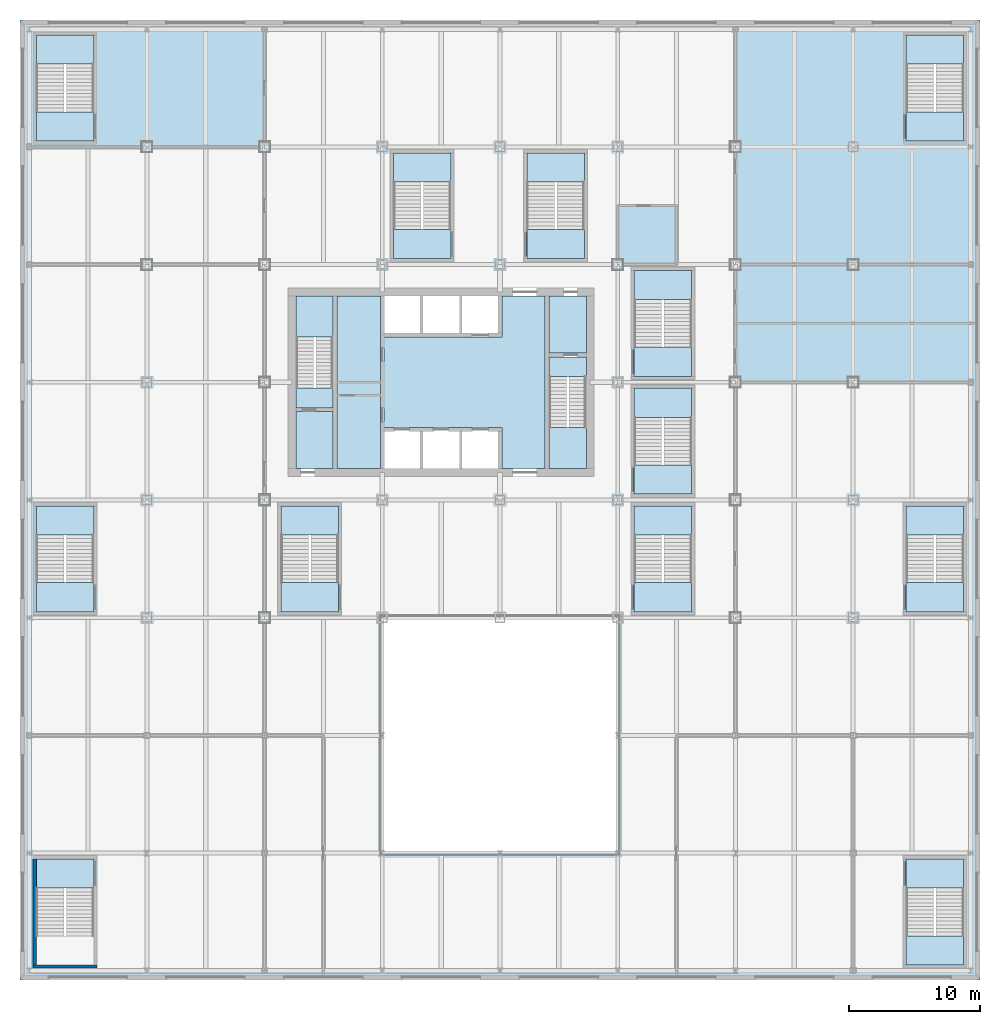
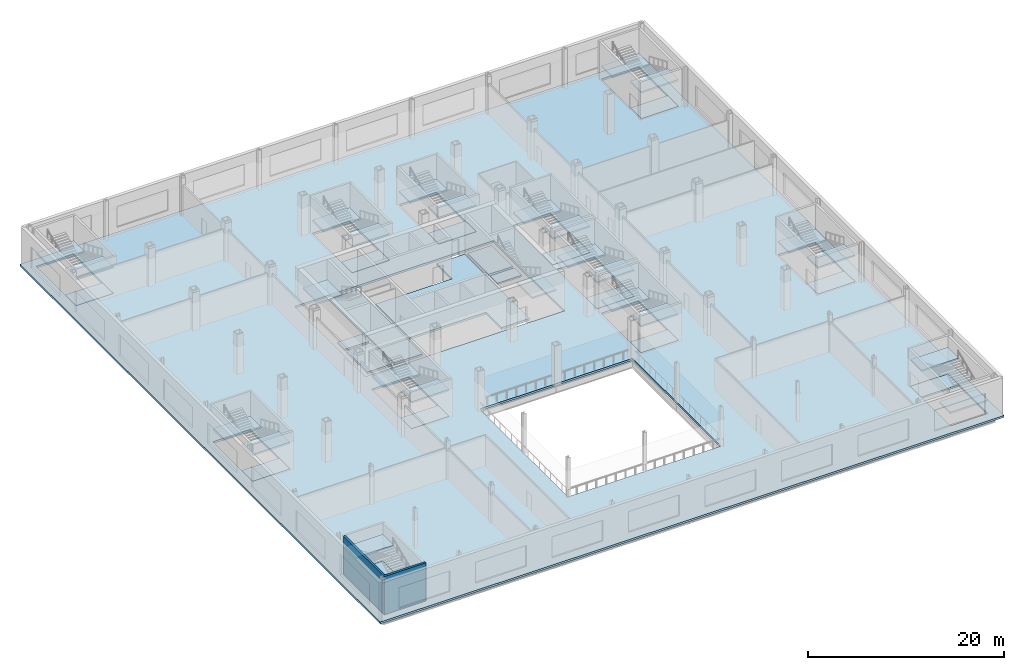
# One storey, part 10 of 31: 44 slabs, 2 walls, 14 elements without a shape of their own.
"""IFC4 building model written with IfcOpenShell, lengths in metres."""

from ifc_helpers import new_model, si_unit, direction, frame, frame_2d, origin, place, context, subcontext, project, spatial, polyline, rectangle, outline, extrude, material, layer, layer_set, type_object, element, aggregate, save


model = new_model("IFC4")

# Units and contexts
model_context = context("Model", 3, precision=1e-05, world=origin(), true_north=direction((0.0, 1.0)))
body_context = subcontext(model_context, "Body", "Model", "MODEL_VIEW")
ifc_project = project(units=[si_unit("LENGTHUNIT", "METRE"), si_unit("AREAUNIT", "SQUARE_METRE"), si_unit("VOLUMEUNIT", "CUBIC_METRE"), si_unit("PLANEANGLEUNIT", "RADIAN"), si_unit("MASSUNIT", "GRAM", prefix="KILO")], contexts=[model_context])

# Site, building, storey
site_placement = place(None, origin())
site = spatial("IfcSite", under=ifc_project, at=site_placement, CompositionType="ELEMENT")
building_placement = place(site_placement, origin())
building = spatial("IfcBuilding", under=site, at=building_placement, Name="Loomwork Tower", CompositionType="ELEMENT")
storey_placement = place(building_placement, frame((0.0, 0.0, 11.0)))
storey = spatial("IfcBuildingStorey", under=building, at=storey_placement, Name="L02", CompositionType="ELEMENT", Elevation=11.0)

# Slabs
ifc_material_1 = material(Name="Concrete 5000 psi (34 MPa) on composite metal deck", Category="concrete")
ifc_layer_1 = layer(ifc_material_1, 0.25)
ifc_layer_set_1 = layer_set([ifc_layer_1], Name="Floor slab 250")
slab_type_1 = type_object("IfcSlabType", Name="Floor slab 250", PredefinedType="FLOOR", material=ifc_layer_set_1)
slab_1_placement = place(storey_placement, frame((0.0, 0.0, -0.25)))
element("IfcSlab", 1, at=slab_1_placement, inside=storey, type_object=slab_type_1, Name="Floor slab L02", PredefinedType="FLOOR", context=body_context, shape_type="SweptSolid", body=[
    extrude(outline(polyline([(-9.699951171875, -27.699951171875), (-9.699951171875, 45.699951171875), (63.699951171875, 45.699951171875), (63.699951171875, -27.699951171875), (-9.699951171875, -27.699951171875)]), holes=[polyline([(58.050048828125, 36.449951171875), (62.449951171875, 36.449951171875), (62.449951171875, 44.550048828125), (58.050048828125, 44.550048828125), (58.050048828125, 36.449951171875)]), polyline([(58.050048828125, 0.449951171875), (62.449951171875, 0.449951171875), (62.449951171875, 8.550048828125), (58.050048828125, 8.550048828125), (58.050048828125, 0.449951171875)]), polyline([(58.050048828125, -26.550048828125), (62.449951171875, -26.550048828125), (62.449951171875, -18.449951171875), (58.050048828125, -18.449951171875), (58.050048828125, -26.550048828125)]), polyline([(41.64990234375, 9.449951171875), (41.64990234375, 17.550048828125), (37.25, 17.550048828125), (37.25, 9.449951171875), (41.64990234375, 9.449951171875)]), polyline([(37.25, 18.449951171875), (41.64990234375, 18.449951171875), (41.64990234375, 26.550048828125), (37.25, 26.550048828125), (37.25, 18.449951171875)]), polyline([(37.25, 0.449951171875), (41.64990234375, 0.449951171875), (41.64990234375, 8.550048828125), (37.25, 8.550048828125), (37.25, 0.449951171875)]), polyline([(18.0, -18.0), (36.0, -18.0), (36.0, 0.0), (18.0, 0.0), (18.0, -18.0)]), polyline([(34.199951171875, 11.39990234375), (34.199951171875, 24.60009765625), (34.199951171875, 25.199951171875), (10.800048828125, 25.199951171875), (10.800048828125, 24.60009765625), (10.800048828125, 11.39990234375), (10.800048828125, 11.39990234375), (10.800048828125, 10.800048828125), (34.199951171875, 10.800048828125), (34.199951171875, 11.39990234375), (34.199951171875, 11.39990234375)]), polyline([(29.050048828125, 27.449951171875), (33.449951171875, 27.449951171875), (33.449951171875, 35.550048828125), (29.050048828125, 35.550048828125), (29.050048828125, 27.449951171875)]), polyline([(18.85009765625, 27.449951171875), (23.25, 27.449951171875), (23.25, 35.550048828125), (18.85009765625, 35.550048828125), (18.85009765625, 27.449951171875)]), polyline([(10.25, 0.449951171875), (14.64990234375, 0.449951171875), (14.64990234375, 8.550048828125), (10.25, 8.550048828125), (10.25, 0.449951171875)]), polyline([(-4.050048828125, -26.550048828125), (-4.050048828125, -18.449951171875), (-8.449951171875, -18.449951171875), (-8.449951171875, -26.550048828125), (-4.050048828125, -26.550048828125)]), polyline([(-8.449951171875, 36.449951171875), (-4.050048828125, 36.449951171875), (-4.050048828125, 44.550048828125), (-8.449951171875, 44.550048828125), (-8.449951171875, 36.449951171875)]), polyline([(-8.449951171875, 0.449951171875), (-4.050048828125, 0.449951171875), (-4.050048828125, 8.550048828125), (-8.449951171875, 8.550048828125), (-8.449951171875, 0.449951171875)])]), origin(), (0.0, 0.0, 1.0), 0.25),
])
slab_2_placement = place(storey_placement, frame((0.0, 0.0, -0.25)))
element("IfcSlab", 2, at=slab_2_placement, inside=storey, type_object=slab_type_1, Name="Floor slab L02", PredefinedType="FLOOR", context=body_context, shape_type="SweptSolid", body=[
    extrude(outline(polyline([(18.14990234375, 21.449951171875), (27.14990234375, 21.449951171875), (27.14990234375, 21.75), (27.14990234375, 24.60009765625), (30.449951171875, 24.60009765625), (30.449951171875, 11.39990234375), (27.14990234375, 11.39990234375), (27.14990234375, 14.25), (27.14990234375, 14.550048828125), (18.14990234375, 14.550048828125), (18.14990234375, 21.449951171875)])), origin(), (0.0, 0.0, 1.0), 0.25),
])
slab_3_placement = place(storey_placement, frame((0.0, 0.0, -0.25)))
element("IfcSlab", 3, at=slab_3_placement, inside=storey, type_object=slab_type_1, Name="Floor slab L02", PredefinedType="FLOOR", context=body_context, shape_type="SweptSolid", body=[
    extrude(outline(polyline([(14.550048828125, 24.60009765625), (17.85009765625, 24.60009765625), (17.85009765625, 11.39990234375), (14.550048828125, 11.39990234375), (14.550048828125, 24.60009765625)])), origin(), (0.0, 0.0, 1.0), 0.25),
])
slab_4_placement = place(storey_placement, frame((0.0, 0.0, -0.25)))
element("IfcSlab", 4, at=slab_4_placement, inside=storey, type_object=slab_type_1, Name="Floor slab L02", PredefinedType="FLOOR", context=body_context, shape_type="SweptSolid", body=[
    extrude(outline(polyline([(33.60009765625, 20.25), (30.75, 20.25), (30.75, 24.60009765625), (33.60009765625, 24.60009765625), (33.60009765625, 20.25)])), origin(), (0.0, 0.0, 1.0), 0.25),
])
slab_5_placement = place(storey_placement, frame((0.0, 0.0, -0.25)))
element("IfcSlab", 5, at=slab_5_placement, inside=storey, type_object=slab_type_1, Name="Floor slab L02", PredefinedType="FLOOR", context=body_context, shape_type="SweptSolid", body=[
    extrude(outline(polyline([(14.25, 15.75), (14.25, 11.39990234375), (11.39990234375, 11.39990234375), (11.39990234375, 15.75), (14.25, 15.75)])), origin(), (0.0, 0.0, 1.0), 0.25),
])

# Stair, slabs
ifc_material_2 = material(Name="Concrete 5000 psi (34 MPa) precast stair", Category="concrete")
stair_type_1 = type_object("IfcStairType", Name="Stair ST-A 30 risers 2850 wide", PredefinedType="HALF_TURN_STAIR", material=ifc_material_2)
stair_1_placement = place(storey_placement, origin())
stair_1 = element("IfcStair", 6, at=stair_1_placement, inside=storey, type_object=stair_type_1, Name="Stair A L02", PredefinedType="HALF_TURN_STAIR")
ifc_material_3 = material(Name="Concrete 5000 psi (34 MPa)", Category="concrete")
ifc_layer_2 = layer(ifc_material_3, 0.199951171875)
ifc_layer_set_2 = layer_set([ifc_layer_2], Name="Stair landing 200")
slab_type_2 = type_object("IfcSlabType", Name="Stair landing 200", PredefinedType="LANDING", material=ifc_layer_set_2)
slab_6_placement = place(storey_placement, frame((0.0, 0.0, -0.199951171875)))
slab_6 = element("IfcSlab", 7, at=slab_6_placement, type_object=slab_type_2, Name="ST-A landing 1", PredefinedType="LANDING", context=body_context, shape_type="SweptSolid", body=[
    extrude(outline(polyline([(11.39990234375, 16.050048828125), (14.25, 16.050048828125), (14.25, 17.550048828125), (11.39990234375, 17.550048828125), (11.39990234375, 16.050048828125)])), origin(), (0.0, 0.0, 1.0), 0.199951171875),
])
slab_7_placement = place(storey_placement, frame((0.0, 0.0, 2.300048828125)))
slab_7 = element("IfcSlab", 8, at=slab_7_placement, type_object=slab_type_2, Name="ST-A landing 2", PredefinedType="LANDING", context=body_context, shape_type="SweptSolid", body=[
    extrude(outline(polyline([(11.39990234375, 21.469970703125), (14.25, 21.469970703125), (14.25, 24.60009765625), (11.39990234375, 24.60009765625), (11.39990234375, 21.469970703125)])), origin(), (0.0, 0.0, 1.0), 0.199951171875),
])
aggregate(stair_1, [slab_6, slab_7])

ifc_material_4 = material(Name="Concrete 5000 psi (34 MPa) precast stair", Category="concrete")
stair_type_2 = type_object("IfcStairType", Name="Stair ST-B 30 risers 2850 wide", PredefinedType="HALF_TURN_STAIR", material=ifc_material_4)
stair_2_placement = place(storey_placement, origin())
stair_2 = element("IfcStair", 9, at=stair_2_placement, inside=storey, type_object=stair_type_2, Name="Stair B L02", PredefinedType="HALF_TURN_STAIR")
slab_8_placement = place(storey_placement, frame((0.0, 0.0, -0.199951171875)))
slab_8 = element("IfcSlab", 10, at=slab_8_placement, type_object=slab_type_2, Name="ST-B landing 1", PredefinedType="LANDING", context=body_context, shape_type="SweptSolid", body=[
    extrude(outline(polyline([(30.75, 18.449951171875), (33.60009765625, 18.449951171875), (33.60009765625, 19.949951171875), (30.75, 19.949951171875), (30.75, 18.449951171875)])), origin(), (0.0, 0.0, 1.0), 0.199951171875),
])
slab_9_placement = place(storey_placement, frame((0.0, 0.0, 2.300048828125)))
slab_9 = element("IfcSlab", 11, at=slab_9_placement, type_object=slab_type_2, Name="ST-B landing 2", PredefinedType="LANDING", context=body_context, shape_type="SweptSolid", body=[
    extrude(outline(polyline([(30.75, 11.39990234375), (33.60009765625, 11.39990234375), (33.60009765625, 14.530029296875), (30.75, 14.530029296875), (30.75, 11.39990234375)])), origin(), (0.0, 0.0, 1.0), 0.199951171875),
])
aggregate(stair_2, [slab_8, slab_9])

ifc_material_5 = material(Name="Concrete 5000 psi (34 MPa) precast stair", Category="concrete")
stair_type_3 = type_object("IfcStairType", Name="Stair ST-S1P 42 risers of 119 4400 wide", PredefinedType="HALF_TURN_STAIR", material=ifc_material_5)
stair_3_placement = place(storey_placement, origin())
stair_3 = element("IfcStair", 12, at=stair_3_placement, inside=storey, type_object=stair_type_3, Name="Podium stair PS1 L02", PredefinedType="HALF_TURN_STAIR")
slab_10_placement = place(storey_placement, frame((0.0, 0.0, -0.199951171875)))
slab_10 = element("IfcSlab", 13, at=slab_10_placement, type_object=slab_type_2, Name="ST-S1P landing 1", PredefinedType="LANDING", context=body_context, shape_type="SweptSolid", body=[
    extrude(outline(polyline([(-8.449951171875, -20.679931640625), (-4.050048828125, -20.679931640625), (-4.050048828125, -18.449951171875), (-8.449951171875, -18.449951171875), (-8.449951171875, -20.679931640625)])), origin(), (0.0, 0.0, 1.0), 0.199951171875),
])
slab_11_placement = place(storey_placement, frame((0.0, 0.0, 3.13330078125)))
slab_11 = element("IfcSlab", 14, at=slab_11_placement, type_object=slab_type_2, Name="ST-S1P landing 3", PredefinedType="LANDING", context=body_context, shape_type="SweptSolid", body=[
    extrude(outline(polyline([(-8.449951171875, -20.679931640625), (-4.050048828125, -20.679931640625), (-4.050048828125, -18.449951171875), (-8.449951171875, -18.449951171875), (-8.449951171875, -20.679931640625)])), origin(), (0.0, 0.0, 1.0), 0.199951171875),
])
aggregate(stair_3, [slab_10, slab_11])

ifc_material_6 = material(Name="Concrete 5000 psi (34 MPa) precast stair", Category="concrete")
stair_type_4 = type_object("IfcStairType", Name="Stair ST-S2P 42 risers of 119 4400 wide", PredefinedType="HALF_TURN_STAIR", material=ifc_material_6)
stair_4_placement = place(storey_placement, origin())
stair_4 = element("IfcStair", 15, at=stair_4_placement, inside=storey, type_object=stair_type_4, Name="Podium stair PS2 L02", PredefinedType="HALF_TURN_STAIR")
slab_12_placement = place(storey_placement, frame((0.0, 0.0, -0.199951171875)))
slab_12 = element("IfcSlab", 16, at=slab_12_placement, type_object=slab_type_2, Name="ST-S2P landing 1", PredefinedType="LANDING", context=body_context, shape_type="SweptSolid", body=[
    extrude(outline(polyline([(58.050048828125, -20.679931640625), (62.449951171875, -20.679931640625), (62.449951171875, -18.449951171875), (58.050048828125, -18.449951171875), (58.050048828125, -20.679931640625)])), origin(), (0.0, 0.0, 1.0), 0.199951171875),
])
slab_13_placement = place(storey_placement, frame((0.0, 0.0, 1.466796875)))
slab_13 = element("IfcSlab", 17, at=slab_13_placement, type_object=slab_type_2, Name="ST-S2P landing 2", PredefinedType="LANDING", context=body_context, shape_type="SweptSolid", body=[
    extrude(outline(polyline([(58.050048828125, -26.550048828125), (62.449951171875, -26.550048828125), (62.449951171875, -24.320068359375), (58.050048828125, -24.320068359375), (58.050048828125, -26.550048828125)])), origin(), (0.0, 0.0, 1.0), 0.199951171875),
])
slab_14_placement = place(storey_placement, frame((0.0, 0.0, 3.13330078125)))
slab_14 = element("IfcSlab", 18, at=slab_14_placement, type_object=slab_type_2, Name="ST-S2P landing 3", PredefinedType="LANDING", context=body_context, shape_type="SweptSolid", body=[
    extrude(outline(polyline([(58.050048828125, -20.679931640625), (62.449951171875, -20.679931640625), (62.449951171875, -18.449951171875), (58.050048828125, -18.449951171875), (58.050048828125, -20.679931640625)])), origin(), (0.0, 0.0, 1.0), 0.199951171875),
])
aggregate(stair_4, [slab_12, slab_13, slab_14])

ifc_material_7 = material(Name="Concrete 5000 psi (34 MPa) precast stair", Category="concrete")
stair_type_5 = type_object("IfcStairType", Name="Stair ST-S3P 42 risers of 119 4400 wide", PredefinedType="HALF_TURN_STAIR", material=ifc_material_7)
stair_5_placement = place(storey_placement, origin())
stair_5 = element("IfcStair", 19, at=stair_5_placement, inside=storey, type_object=stair_type_5, Name="Podium stair PS3 L02", PredefinedType="HALF_TURN_STAIR")
slab_15_placement = place(storey_placement, frame((0.0, 0.0, -0.199951171875)))
slab_15 = element("IfcSlab", 20, at=slab_15_placement, type_object=slab_type_2, Name="ST-S3P landing 1", PredefinedType="LANDING", context=body_context, shape_type="SweptSolid", body=[
    extrude(outline(polyline([(-8.449951171875, 36.449951171875), (-4.050048828125, 36.449951171875), (-4.050048828125, 38.679931640625), (-8.449951171875, 38.679931640625), (-8.449951171875, 36.449951171875)])), origin(), (0.0, 0.0, 1.0), 0.199951171875),
])
slab_16_placement = place(storey_placement, frame((0.0, 0.0, 1.466796875)))
slab_16 = element("IfcSlab", 21, at=slab_16_placement, type_object=slab_type_2, Name="ST-S3P landing 2", PredefinedType="LANDING", context=body_context, shape_type="SweptSolid", body=[
    extrude(outline(polyline([(-8.449951171875, 42.320068359375), (-4.050048828125, 42.320068359375), (-4.050048828125, 44.550048828125), (-8.449951171875, 44.550048828125), (-8.449951171875, 42.320068359375)])), origin(), (0.0, 0.0, 1.0), 0.199951171875),
])
slab_17_placement = place(storey_placement, frame((0.0, 0.0, 3.13330078125)))
slab_17 = element("IfcSlab", 22, at=slab_17_placement, type_object=slab_type_2, Name="ST-S3P landing 3", PredefinedType="LANDING", context=body_context, shape_type="SweptSolid", body=[
    extrude(outline(polyline([(-8.449951171875, 36.449951171875), (-4.050048828125, 36.449951171875), (-4.050048828125, 38.679931640625), (-8.449951171875, 38.679931640625), (-8.449951171875, 36.449951171875)])), origin(), (0.0, 0.0, 1.0), 0.199951171875),
])
aggregate(stair_5, [slab_15, slab_16, slab_17])

ifc_material_8 = material(Name="Concrete 5000 psi (34 MPa) precast stair", Category="concrete")
stair_type_6 = type_object("IfcStairType", Name="Stair ST-S4P 42 risers of 119 4400 wide", PredefinedType="HALF_TURN_STAIR", material=ifc_material_8)
stair_6_placement = place(storey_placement, origin())
stair_6 = element("IfcStair", 23, at=stair_6_placement, inside=storey, type_object=stair_type_6, Name="Podium stair PS4 L02", PredefinedType="HALF_TURN_STAIR")
slab_18_placement = place(storey_placement, frame((0.0, 0.0, -0.199951171875)))
slab_18 = element("IfcSlab", 24, at=slab_18_placement, type_object=slab_type_2, Name="ST-S4P landing 1", PredefinedType="LANDING", context=body_context, shape_type="SweptSolid", body=[
    extrude(outline(polyline([(58.050048828125, 36.449951171875), (62.449951171875, 36.449951171875), (62.449951171875, 38.679931640625), (58.050048828125, 38.679931640625), (58.050048828125, 36.449951171875)])), origin(), (0.0, 0.0, 1.0), 0.199951171875),
])
slab_19_placement = place(storey_placement, frame((0.0, 0.0, 1.466796875)))
slab_19 = element("IfcSlab", 25, at=slab_19_placement, type_object=slab_type_2, Name="ST-S4P landing 2", PredefinedType="LANDING", context=body_context, shape_type="SweptSolid", body=[
    extrude(outline(polyline([(58.050048828125, 42.320068359375), (62.449951171875, 42.320068359375), (62.449951171875, 44.550048828125), (58.050048828125, 44.550048828125), (58.050048828125, 42.320068359375)])), origin(), (0.0, 0.0, 1.0), 0.199951171875),
])
slab_20_placement = place(storey_placement, frame((0.0, 0.0, 3.13330078125)))
slab_20 = element("IfcSlab", 26, at=slab_20_placement, type_object=slab_type_2, Name="ST-S4P landing 3", PredefinedType="LANDING", context=body_context, shape_type="SweptSolid", body=[
    extrude(outline(polyline([(58.050048828125, 36.449951171875), (62.449951171875, 36.449951171875), (62.449951171875, 38.679931640625), (58.050048828125, 38.679931640625), (58.050048828125, 36.449951171875)])), origin(), (0.0, 0.0, 1.0), 0.199951171875),
])
aggregate(stair_6, [slab_18, slab_19, slab_20])

ifc_material_9 = material(Name="Concrete 5000 psi (34 MPa) precast stair", Category="concrete")
stair_type_7 = type_object("IfcStairType", Name="Stair ST-S5P 42 risers of 119 4400 wide", PredefinedType="HALF_TURN_STAIR", material=ifc_material_9)
stair_7_placement = place(storey_placement, origin())
stair_7 = element("IfcStair", 27, at=stair_7_placement, inside=storey, type_object=stair_type_7, Name="Podium stair PS5 L02", PredefinedType="HALF_TURN_STAIR")
slab_21_placement = place(storey_placement, frame((0.0, 0.0, -0.199951171875)))
slab_21 = element("IfcSlab", 28, at=slab_21_placement, type_object=slab_type_2, Name="ST-S5P landing 1", PredefinedType="LANDING", context=body_context, shape_type="SweptSolid", body=[
    extrude(outline(polyline([(-8.449951171875, 0.449951171875), (-4.050048828125, 0.449951171875), (-4.050048828125, 2.679931640625), (-8.449951171875, 2.679931640625), (-8.449951171875, 0.449951171875)])), origin(), (0.0, 0.0, 1.0), 0.199951171875),
])
slab_22_placement = place(storey_placement, frame((0.0, 0.0, 1.466796875)))
slab_22 = element("IfcSlab", 29, at=slab_22_placement, type_object=slab_type_2, Name="ST-S5P landing 2", PredefinedType="LANDING", context=body_context, shape_type="SweptSolid", body=[
    extrude(outline(polyline([(-8.449951171875, 6.320068359375), (-4.050048828125, 6.320068359375), (-4.050048828125, 8.550048828125), (-8.449951171875, 8.550048828125), (-8.449951171875, 6.320068359375)])), origin(), (0.0, 0.0, 1.0), 0.199951171875),
])
slab_23_placement = place(storey_placement, frame((0.0, 0.0, 3.13330078125)))
slab_23 = element("IfcSlab", 30, at=slab_23_placement, type_object=slab_type_2, Name="ST-S5P landing 3", PredefinedType="LANDING", context=body_context, shape_type="SweptSolid", body=[
    extrude(outline(polyline([(-8.449951171875, 0.449951171875), (-4.050048828125, 0.449951171875), (-4.050048828125, 2.679931640625), (-8.449951171875, 2.679931640625), (-8.449951171875, 0.449951171875)])), origin(), (0.0, 0.0, 1.0), 0.199951171875),
])
aggregate(stair_7, [slab_21, slab_22, slab_23])

ifc_material_10 = material(Name="Concrete 5000 psi (34 MPa) precast stair", Category="concrete")
stair_type_8 = type_object("IfcStairType", Name="Stair ST-S6P 42 risers of 119 4400 wide", PredefinedType="HALF_TURN_STAIR", material=ifc_material_10)
stair_8_placement = place(storey_placement, origin())
stair_8 = element("IfcStair", 31, at=stair_8_placement, inside=storey, type_object=stair_type_8, Name="Podium stair PS6 L02", PredefinedType="HALF_TURN_STAIR")
slab_24_placement = place(storey_placement, frame((0.0, 0.0, -0.199951171875)))
slab_24 = element("IfcSlab", 32, at=slab_24_placement, type_object=slab_type_2, Name="ST-S6P landing 1", PredefinedType="LANDING", context=body_context, shape_type="SweptSolid", body=[
    extrude(outline(polyline([(58.050048828125, 0.449951171875), (62.449951171875, 0.449951171875), (62.449951171875, 2.679931640625), (58.050048828125, 2.679931640625), (58.050048828125, 0.449951171875)])), origin(), (0.0, 0.0, 1.0), 0.199951171875),
])
slab_25_placement = place(storey_placement, frame((0.0, 0.0, 1.466796875)))
slab_25 = element("IfcSlab", 33, at=slab_25_placement, type_object=slab_type_2, Name="ST-S6P landing 2", PredefinedType="LANDING", context=body_context, shape_type="SweptSolid", body=[
    extrude(outline(polyline([(58.050048828125, 6.320068359375), (62.449951171875, 6.320068359375), (62.449951171875, 8.550048828125), (58.050048828125, 8.550048828125), (58.050048828125, 6.320068359375)])), origin(), (0.0, 0.0, 1.0), 0.199951171875),
])
slab_26_placement = place(storey_placement, frame((0.0, 0.0, 3.13330078125)))
slab_26 = element("IfcSlab", 34, at=slab_26_placement, type_object=slab_type_2, Name="ST-S6P landing 3", PredefinedType="LANDING", context=body_context, shape_type="SweptSolid", body=[
    extrude(outline(polyline([(58.050048828125, 0.449951171875), (62.449951171875, 0.449951171875), (62.449951171875, 2.679931640625), (58.050048828125, 2.679931640625), (58.050048828125, 0.449951171875)])), origin(), (0.0, 0.0, 1.0), 0.199951171875),
])
aggregate(stair_8, [slab_24, slab_25, slab_26])

ifc_material_11 = material(Name="Concrete 5000 psi (34 MPa) precast stair", Category="concrete")
stair_type_9 = type_object("IfcStairType", Name="Stair ST-S7P 42 risers of 119 4400 wide", PredefinedType="HALF_TURN_STAIR", material=ifc_material_11)
stair_9_placement = place(storey_placement, origin())
stair_9 = element("IfcStair", 35, at=stair_9_placement, inside=storey, type_object=stair_type_9, Name="Podium stair PS7 L02", PredefinedType="HALF_TURN_STAIR")
slab_27_placement = place(storey_placement, frame((0.0, 0.0, -0.199951171875)))
slab_27 = element("IfcSlab", 36, at=slab_27_placement, type_object=slab_type_2, Name="ST-S7P landing 1", PredefinedType="LANDING", context=body_context, shape_type="SweptSolid", body=[
    extrude(outline(polyline([(37.25, 0.449951171875), (41.64990234375, 0.449951171875), (41.64990234375, 2.679931640625), (37.25, 2.679931640625), (37.25, 0.449951171875)])), origin(), (0.0, 0.0, 1.0), 0.199951171875),
])
slab_28_placement = place(storey_placement, frame((0.0, 0.0, 1.466796875)))
slab_28 = element("IfcSlab", 37, at=slab_28_placement, type_object=slab_type_2, Name="ST-S7P landing 2", PredefinedType="LANDING", context=body_context, shape_type="SweptSolid", body=[
    extrude(outline(polyline([(37.25, 6.320068359375), (41.64990234375, 6.320068359375), (41.64990234375, 8.550048828125), (37.25, 8.550048828125), (37.25, 6.320068359375)])), origin(), (0.0, 0.0, 1.0), 0.199951171875),
])
slab_29_placement = place(storey_placement, frame((0.0, 0.0, 3.13330078125)))
slab_29 = element("IfcSlab", 38, at=slab_29_placement, type_object=slab_type_2, Name="ST-S7P landing 3", PredefinedType="LANDING", context=body_context, shape_type="SweptSolid", body=[
    extrude(outline(polyline([(37.25, 0.449951171875), (41.64990234375, 0.449951171875), (41.64990234375, 2.679931640625), (37.25, 2.679931640625), (37.25, 0.449951171875)])), origin(), (0.0, 0.0, 1.0), 0.199951171875),
])
aggregate(stair_9, [slab_27, slab_28, slab_29])

ifc_material_12 = material(Name="Concrete 5000 psi (34 MPa) precast stair", Category="concrete")
stair_type_10 = type_object("IfcStairType", Name="Stair ST-S8P 42 risers of 119 4400 wide", PredefinedType="HALF_TURN_STAIR", material=ifc_material_12)
stair_10_placement = place(storey_placement, origin())
stair_10 = element("IfcStair", 39, at=stair_10_placement, inside=storey, type_object=stair_type_10, Name="Podium stair PS8 L02", PredefinedType="HALF_TURN_STAIR")
slab_30_placement = place(storey_placement, frame((0.0, 0.0, -0.199951171875)))
slab_30 = element("IfcSlab", 40, at=slab_30_placement, type_object=slab_type_2, Name="ST-S8P landing 1", PredefinedType="LANDING", context=body_context, shape_type="SweptSolid", body=[
    extrude(outline(polyline([(37.25, 9.449951171875), (41.64990234375, 9.449951171875), (41.64990234375, 11.679931640625), (37.25, 11.679931640625), (37.25, 9.449951171875)])), origin(), (0.0, 0.0, 1.0), 0.199951171875),
])
slab_31_placement = place(storey_placement, frame((0.0, 0.0, 1.466796875)))
slab_31 = element("IfcSlab", 41, at=slab_31_placement, type_object=slab_type_2, Name="ST-S8P landing 2", PredefinedType="LANDING", context=body_context, shape_type="SweptSolid", body=[
    extrude(outline(polyline([(37.25, 15.320068359375), (41.64990234375, 15.320068359375), (41.64990234375, 17.550048828125), (37.25, 17.550048828125), (37.25, 15.320068359375)])), origin(), (0.0, 0.0, 1.0), 0.199951171875),
])
slab_32_placement = place(storey_placement, frame((0.0, 0.0, 3.13330078125)))
slab_32 = element("IfcSlab", 42, at=slab_32_placement, type_object=slab_type_2, Name="ST-S8P landing 3", PredefinedType="LANDING", context=body_context, shape_type="SweptSolid", body=[
    extrude(outline(polyline([(37.25, 9.449951171875), (41.64990234375, 9.449951171875), (41.64990234375, 11.679931640625), (37.25, 11.679931640625), (37.25, 9.449951171875)])), origin(), (0.0, 0.0, 1.0), 0.199951171875),
])
aggregate(stair_10, [slab_30, slab_31, slab_32])

ifc_material_13 = material(Name="Concrete 5000 psi (34 MPa) precast stair", Category="concrete")
stair_type_11 = type_object("IfcStairType", Name="Stair ST-S9P 42 risers of 119 4400 wide", PredefinedType="HALF_TURN_STAIR", material=ifc_material_13)
stair_11_placement = place(storey_placement, origin())
stair_11 = element("IfcStair", 43, at=stair_11_placement, inside=storey, type_object=stair_type_11, Name="Podium stair PS9 L02", PredefinedType="HALF_TURN_STAIR")
slab_33_placement = place(storey_placement, frame((0.0, 0.0, -0.199951171875)))
slab_33 = element("IfcSlab", 44, at=slab_33_placement, type_object=slab_type_2, Name="ST-S9P landing 1", PredefinedType="LANDING", context=body_context, shape_type="SweptSolid", body=[
    extrude(outline(polyline([(37.25, 18.449951171875), (41.64990234375, 18.449951171875), (41.64990234375, 20.679931640625), (37.25, 20.679931640625), (37.25, 18.449951171875)])), origin(), (0.0, 0.0, 1.0), 0.199951171875),
])
slab_34_placement = place(storey_placement, frame((0.0, 0.0, 1.466796875)))
slab_34 = element("IfcSlab", 45, at=slab_34_placement, type_object=slab_type_2, Name="ST-S9P landing 2", PredefinedType="LANDING", context=body_context, shape_type="SweptSolid", body=[
    extrude(outline(polyline([(37.25, 24.320068359375), (41.64990234375, 24.320068359375), (41.64990234375, 26.550048828125), (37.25, 26.550048828125), (37.25, 24.320068359375)])), origin(), (0.0, 0.0, 1.0), 0.199951171875),
])
slab_35_placement = place(storey_placement, frame((0.0, 0.0, 3.13330078125)))
slab_35 = element("IfcSlab", 46, at=slab_35_placement, type_object=slab_type_2, Name="ST-S9P landing 3", PredefinedType="LANDING", context=body_context, shape_type="SweptSolid", body=[
    extrude(outline(polyline([(37.25, 18.449951171875), (41.64990234375, 18.449951171875), (41.64990234375, 20.679931640625), (37.25, 20.679931640625), (37.25, 18.449951171875)])), origin(), (0.0, 0.0, 1.0), 0.199951171875),
])
aggregate(stair_11, [slab_33, slab_34, slab_35])

ifc_material_14 = material(Name="Concrete 5000 psi (34 MPa) precast stair", Category="concrete")
stair_type_12 = type_object("IfcStairType", Name="Stair ST-S10P 42 risers of 119 4400 wide", PredefinedType="HALF_TURN_STAIR", material=ifc_material_14)
stair_12_placement = place(storey_placement, origin())
stair_12 = element("IfcStair", 47, at=stair_12_placement, inside=storey, type_object=stair_type_12, Name="Podium stair PS10 L02", PredefinedType="HALF_TURN_STAIR")
slab_36_placement = place(storey_placement, frame((0.0, 0.0, -0.199951171875)))
slab_36 = element("IfcSlab", 48, at=slab_36_placement, type_object=slab_type_2, Name="ST-S10P landing 1", PredefinedType="LANDING", context=body_context, shape_type="SweptSolid", body=[
    extrude(outline(polyline([(18.85009765625, 27.449951171875), (23.25, 27.449951171875), (23.25, 29.679931640625), (18.85009765625, 29.679931640625), (18.85009765625, 27.449951171875)])), origin(), (0.0, 0.0, 1.0), 0.199951171875),
])
slab_37_placement = place(storey_placement, frame((0.0, 0.0, 1.466796875)))
slab_37 = element("IfcSlab", 49, at=slab_37_placement, type_object=slab_type_2, Name="ST-S10P landing 2", PredefinedType="LANDING", context=body_context, shape_type="SweptSolid", body=[
    extrude(outline(polyline([(18.85009765625, 33.320068359375), (23.25, 33.320068359375), (23.25, 35.550048828125), (18.85009765625, 35.550048828125), (18.85009765625, 33.320068359375)])), origin(), (0.0, 0.0, 1.0), 0.199951171875),
])
slab_38_placement = place(storey_placement, frame((0.0, 0.0, 3.13330078125)))
slab_38 = element("IfcSlab", 50, at=slab_38_placement, type_object=slab_type_2, Name="ST-S10P landing 3", PredefinedType="LANDING", context=body_context, shape_type="SweptSolid", body=[
    extrude(outline(polyline([(18.85009765625, 27.449951171875), (23.25, 27.449951171875), (23.25, 29.679931640625), (18.85009765625, 29.679931640625), (18.85009765625, 27.449951171875)])), origin(), (0.0, 0.0, 1.0), 0.199951171875),
])
aggregate(stair_12, [slab_36, slab_37, slab_38])

ifc_material_15 = material(Name="Concrete 5000 psi (34 MPa) precast stair", Category="concrete")
stair_type_13 = type_object("IfcStairType", Name="Stair ST-S11P 42 risers of 119 4400 wide", PredefinedType="HALF_TURN_STAIR", material=ifc_material_15)
stair_13_placement = place(storey_placement, origin())
stair_13 = element("IfcStair", 51, at=stair_13_placement, inside=storey, type_object=stair_type_13, Name="Podium stair PS11 L02", PredefinedType="HALF_TURN_STAIR")
slab_39_placement = place(storey_placement, frame((0.0, 0.0, -0.199951171875)))
slab_39 = element("IfcSlab", 52, at=slab_39_placement, type_object=slab_type_2, Name="ST-S11P landing 1", PredefinedType="LANDING", context=body_context, shape_type="SweptSolid", body=[
    extrude(outline(polyline([(29.050048828125, 27.449951171875), (33.449951171875, 27.449951171875), (33.449951171875, 29.679931640625), (29.050048828125, 29.679931640625), (29.050048828125, 27.449951171875)])), origin(), (0.0, 0.0, 1.0), 0.199951171875),
])
slab_40_placement = place(storey_placement, frame((0.0, 0.0, 1.466796875)))
slab_40 = element("IfcSlab", 53, at=slab_40_placement, type_object=slab_type_2, Name="ST-S11P landing 2", PredefinedType="LANDING", context=body_context, shape_type="SweptSolid", body=[
    extrude(outline(polyline([(29.050048828125, 33.320068359375), (33.449951171875, 33.320068359375), (33.449951171875, 35.550048828125), (29.050048828125, 35.550048828125), (29.050048828125, 33.320068359375)])), origin(), (0.0, 0.0, 1.0), 0.199951171875),
])
slab_41_placement = place(storey_placement, frame((0.0, 0.0, 3.13330078125)))
slab_41 = element("IfcSlab", 54, at=slab_41_placement, type_object=slab_type_2, Name="ST-S11P landing 3", PredefinedType="LANDING", context=body_context, shape_type="SweptSolid", body=[
    extrude(outline(polyline([(29.050048828125, 27.449951171875), (33.449951171875, 27.449951171875), (33.449951171875, 29.679931640625), (29.050048828125, 29.679931640625), (29.050048828125, 27.449951171875)])), origin(), (0.0, 0.0, 1.0), 0.199951171875),
])
aggregate(stair_13, [slab_39, slab_40, slab_41])

ifc_material_16 = material(Name="Concrete 5000 psi (34 MPa) precast stair", Category="concrete")
stair_type_14 = type_object("IfcStairType", Name="Stair ST-S12P 42 risers of 119 4400 wide", PredefinedType="HALF_TURN_STAIR", material=ifc_material_16)
stair_14_placement = place(storey_placement, origin())
stair_14 = element("IfcStair", 55, at=stair_14_placement, inside=storey, type_object=stair_type_14, Name="Podium stair PS12 L02", PredefinedType="HALF_TURN_STAIR")
slab_42_placement = place(storey_placement, frame((0.0, 0.0, -0.199951171875)))
slab_42 = element("IfcSlab", 56, at=slab_42_placement, type_object=slab_type_2, Name="ST-S12P landing 1", PredefinedType="LANDING", context=body_context, shape_type="SweptSolid", body=[
    extrude(outline(polyline([(10.25, 0.449951171875), (14.64990234375, 0.449951171875), (14.64990234375, 2.679931640625), (10.25, 2.679931640625), (10.25, 0.449951171875)])), origin(), (0.0, 0.0, 1.0), 0.199951171875),
])
slab_43_placement = place(storey_placement, frame((0.0, 0.0, 1.466796875)))
slab_43 = element("IfcSlab", 57, at=slab_43_placement, type_object=slab_type_2, Name="ST-S12P landing 2", PredefinedType="LANDING", context=body_context, shape_type="SweptSolid", body=[
    extrude(outline(polyline([(10.25, 6.320068359375), (14.64990234375, 6.320068359375), (14.64990234375, 8.550048828125), (10.25, 8.550048828125), (10.25, 6.320068359375)])), origin(), (0.0, 0.0, 1.0), 0.199951171875),
])
slab_44_placement = place(storey_placement, frame((0.0, 0.0, 3.13330078125)))
slab_44 = element("IfcSlab", 58, at=slab_44_placement, type_object=slab_type_2, Name="ST-S12P landing 3", PredefinedType="LANDING", context=body_context, shape_type="SweptSolid", body=[
    extrude(outline(polyline([(10.25, 0.449951171875), (14.64990234375, 0.449951171875), (14.64990234375, 2.679931640625), (10.25, 2.679931640625), (10.25, 0.449951171875)])), origin(), (0.0, 0.0, 1.0), 0.199951171875),
])
aggregate(stair_14, [slab_42, slab_43, slab_44])

# Walls
ifc_material_17 = material(Name="Concrete masonry, two-hour", Category="masonry")
ifc_layer_3 = layer(ifc_material_17, 0.25)
ifc_layer_set_3 = layer_set([ifc_layer_3], Name="Stair enclosure wall 250")
wall_type = type_object("IfcWallType", Name="Stair enclosure wall 250", PredefinedType="SOLIDWALL", material=ifc_layer_set_3)
wall_1_placement = place(storey_placement, frame((-8.699951171875, -26.675048828125, 0.0), z_axis=(0.0, 0.0, 1.0), x_axis=(1.0, 0.0, 0.0)))
element("IfcWall", 59, at=wall_1_placement, inside=storey, type_object=wall_type, Name="Stair PS1 enclosure wall S L02", PredefinedType="SOLIDWALL", context=body_context, shape_type="SweptSolid", body=[
    extrude(rectangle(XDim=4.89990234375, YDim=0.25, at=frame_2d((2.449951171875, 0.0))), origin(), (0.0, 0.0, 1.0), 4.75),
])
wall_2_placement = place(storey_placement, frame((-8.574951171875, -26.550048828125, 0.0), z_axis=(0.0, 0.0, 1.0), x_axis=(0.0, 1.0, 0.0)))
element("IfcWall", 60, at=wall_2_placement, inside=storey, type_object=wall_type, Name="Stair PS1 enclosure wall W L02", PredefinedType="SOLIDWALL", context=body_context, shape_type="SweptSolid", body=[
    extrude(rectangle(XDim=8.10009765625, YDim=0.25, at=frame_2d((4.050048828125, 0.0))), origin(), (0.0, 0.0, 1.0), 4.75),
])

save(model, "model.ifc")
